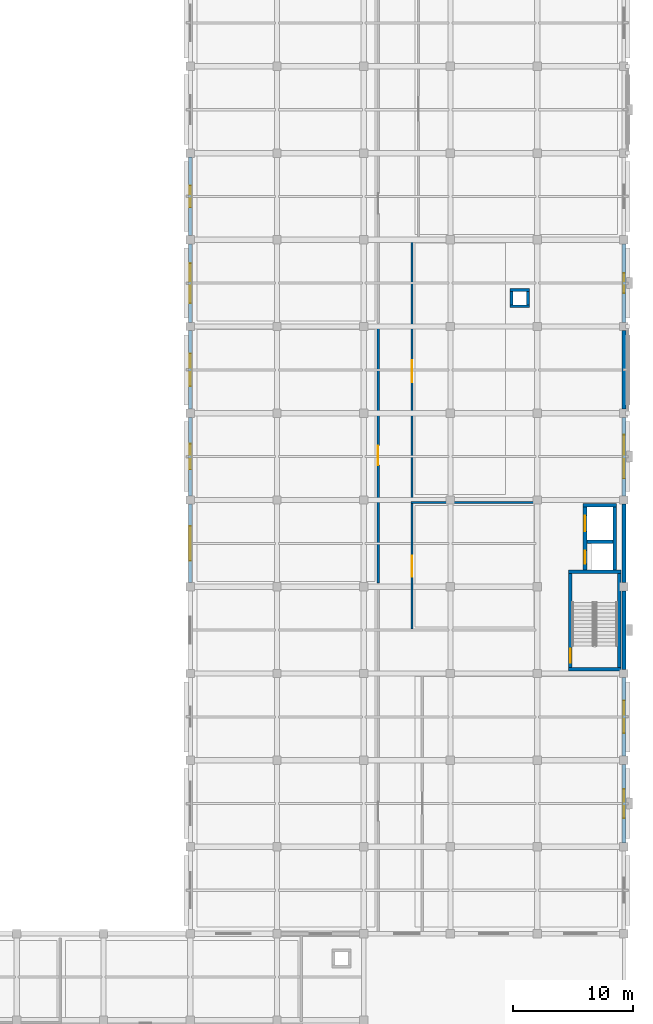
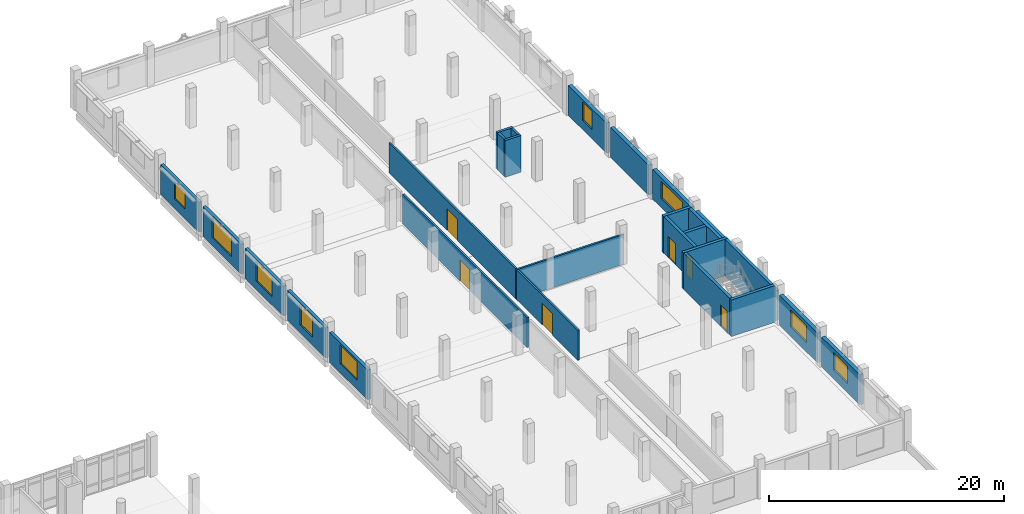
# One storey, part 40 of 57: 28 walls, 9 windows, 6 doors, 15 openings.
"""IFC4 building model written with IfcOpenShell, lengths in metres."""

from ifc_helpers import new_model, si_unit, direction, frame, frame_2d, origin, place, context, subcontext, project, spatial, rectangle, extrude, material, layer, layer_set, type_object, element, fill, save


model = new_model("IFC4")

# Units and contexts
model_context = context("Model", 3, precision=1e-05, world=origin(), true_north=direction((0.0, 1.0)))
body_context = subcontext(model_context, "Body", "Model", "MODEL_VIEW")
ifc_project = project(units=[si_unit("LENGTHUNIT", "METRE"), si_unit("AREAUNIT", "SQUARE_METRE"), si_unit("VOLUMEUNIT", "CUBIC_METRE"), si_unit("PLANEANGLEUNIT", "RADIAN"), si_unit("MASSUNIT", "GRAM", prefix="KILO")], contexts=[model_context])

# Site, building, storey
site_placement = place(None, origin())
site = spatial("IfcSite", under=ifc_project, at=site_placement, CompositionType="ELEMENT")
building_placement = place(site_placement, origin())
building = spatial("IfcBuilding", under=site, at=building_placement, Name="Valkovuoma Quantum and Materials Research Institute", CompositionType="ELEMENT")
storey_placement = place(building_placement, frame((0.0, 0.0, 4.800048828125)))
storey = spatial("IfcBuildingStorey", under=building, at=storey_placement, Name="L01", CompositionType="ELEMENT", Elevation=4.800048828125)

# Walls
ifc_material_1 = material(Name="Concrete C40/50", Category="concrete")
ifc_layer_1 = layer(ifc_material_1, 0.300048828125)
ifc_layer_set_1 = layer_set([ifc_layer_1], Name="Concrete C40/50")
wall_type_1 = type_object("IfcWallType", Name="Wall-W-COR300", PredefinedType="SHEAR", material=ifc_layer_set_1)
for number, where, z_axis, x_axis, name in (
    (1, (161.0, 57.949951171875, 0.0), (0.0, 0.0, 1.0), (1.0, 0.0, 0.0), "L01 core wall 0215"),
    (2, (161.0, 66.050048828125, 0.0), (0.0, 0.0, 1.0), (1.0, 0.0, 0.0), "L01 core wall 0216"),
):
    element("IfcWall", number, at=place(storey_placement, frame(where, z_axis=z_axis, x_axis=x_axis)), inside=storey, type_object=wall_type_1, Name=name, PredefinedType="SHEAR", context=body_context, shape_type="SweptSolid", body=[
        extrude(rectangle(XDim=4.35009765625, YDim=0.300048828125, at=frame_2d((2.175048828125, 0.0))), origin(), (0.0, 0.0, 1.0), 3.81005859375),
    ])

# Wall, opening, door
wall_1_placement = place(storey_placement, frame((161.14990234375, 58.10009765625, 0.0), z_axis=(0.0, 0.0, 1.0), x_axis=(0.0, 1.0, 0.0)))
wall_1 = element("IfcWall", 3, at=wall_1_placement, inside=storey, type_object=wall_type_1, Name="L01 core wall 0217", PredefinedType="SHEAR", context=body_context, shape_type="SweptSolid", body=[
    extrude(rectangle(XDim=7.7998046875, YDim=0.300048828125, at=frame_2d((3.89990234375, 0.0))), origin(), (0.0, 0.0, 1.0), 3.81005859375),
])
opening_1_placement = place(wall_1_placement, frame((0.39990234375, 0.0, 0.0)))
opening_1 = element("IfcOpeningElement", 4, at=opening_1_placement, cuts=wall_1, Name="Opening SD-036", PredefinedType="OPENING", context=body_context, shape_type="SweptSolid", body=[
    extrude(rectangle(XDim=1.14990234375, YDim=2.199951171875, at=frame_2d((0.574951171875, 1.10009765625))), frame((0.0, 0.16015625, 0.0), z_axis=(0.0, -1.0, 0.0), x_axis=(1.0, 0.0, 0.0)), (0.0, 0.0, 1.0), 0.320068359375),
])
ifc_material_2 = material(Name="Powder-coated steel and acoustic timber door assembly", Category="steel")
door_type_1 = type_object("IfcDoorType", Name="Door-DR-ST60", OperationType="NOTDEFINED", PredefinedType="DOOR", material=ifc_material_2)
door_1_placement = place(opening_1_placement, frame((1.14990234375, 0.0, 0.0), z_axis=(0.0, 0.0, 1.0), x_axis=(-1.0, 0.0, 0.0)))
door_1 = element("IfcDoor", 5, at=door_1_placement, inside=storey, type_object=door_type_1, Name="L01 ST-3 fire door", OperationType="SINGLE_SWING_LEFT", OverallHeight=2.199951171875, OverallWidth=1.14990234375, PredefinedType="DOOR", context=body_context, shape_type="SweptSolid", body=[
    extrude(rectangle(XDim=1.14990234375, YDim=2.199951171875, at=frame_2d((0.574951171875, 1.10009765625))), frame((0.0, 0.02490234375, 0.0), z_axis=(0.0, -1.0, 0.0), x_axis=(1.0, 0.0, 0.0)), (0.0, 0.0, 1.0), 0.050048828125),
])
fill(opening_1, door_1)

# Walls
wall_2_placement = place(storey_placement, frame((165.199951171875, 58.10009765625, 0.0), z_axis=(0.0, 0.0, 1.0), x_axis=(0.0, 1.0, 0.0)))
element("IfcWall", 6, at=wall_2_placement, inside=storey, type_object=wall_type_1, Name="L01 core wall 0218", PredefinedType="SHEAR", context=body_context, shape_type="SweptSolid", body=[
    extrude(rectangle(XDim=7.7998046875, YDim=0.300048828125, at=frame_2d((3.89990234375, 0.0))), origin(), (0.0, 0.0, 1.0), 3.81005859375),
])
wall_3_placement = place(storey_placement, frame((162.219970703125, 71.580078125, 0.0), z_axis=(0.0, 0.0, 1.0), x_axis=(1.0, 0.0, 0.0)))
element("IfcWall", 7, at=wall_3_placement, inside=storey, type_object=wall_type_1, Name="L01 core wall 0219", PredefinedType="SHEAR", context=body_context, shape_type="SweptSolid", body=[
    extrude(rectangle(XDim=2.760009765625, YDim=0.300048828125, at=frame_2d((1.3798828125, 0.0))), origin(), (0.0, 0.0, 1.0), 3.81005859375),
])
wall_4_placement = place(storey_placement, frame((162.52001953125, 68.52490234375, 0.0), z_axis=(0.0, 0.0, 1.0), x_axis=(1.0, 0.0, 0.0)))
element("IfcWall", 8, at=wall_4_placement, inside=storey, type_object=wall_type_1, Name="L01 core wall 0220", PredefinedType="SHEAR", context=body_context, shape_type="SweptSolid", body=[
    extrude(rectangle(XDim=2.159912109375, YDim=0.300048828125, at=frame_2d((1.080078125, 0.0))), origin(), (0.0, 0.0, 1.0), 3.81005859375),
])

# Wall, openings, doors
wall_5_placement = place(storey_placement, frame((162.3701171875, 66.199951171875, 0.0), z_axis=(0.0, 0.0, 1.0), x_axis=(0.0, 1.0, 0.0)))
wall_5 = element("IfcWall", 9, at=wall_5_placement, inside=storey, type_object=wall_type_1, Name="L01 core wall 0221", PredefinedType="SHEAR", context=body_context, shape_type="SweptSolid", body=[
    extrude(rectangle(XDim=5.22998046875, YDim=0.300048828125, at=frame_2d((2.614990234375, 0.0))), origin(), (0.0, 0.0, 1.0), 3.81005859375),
])
opening_2_placement = place(wall_5_placement, frame((0.5, 0.0, 0.0)))
opening_2 = element("IfcOpeningElement", 10, at=opening_2_placement, cuts=wall_5, Name="Opening LD-038", PredefinedType="OPENING", context=body_context, shape_type="SweptSolid", body=[
    extrude(rectangle(XDim=1.10009765625, YDim=2.199951171875, at=frame_2d((0.550048828125, 1.10009765625))), frame((0.0, 0.16015625, 0.0), z_axis=(0.0, -1.0, 0.0), x_axis=(1.0, 0.0, 0.0)), (0.0, 0.0, 1.0), 0.320068359375),
])
opening_3_placement = place(wall_5_placement, frame((3.199951171875, 0.0, 0.0)))
opening_3 = element("IfcOpeningElement", 11, at=opening_3_placement, cuts=wall_5, Name="Opening LD-039", PredefinedType="OPENING", context=body_context, shape_type="SweptSolid", body=[
    extrude(rectangle(XDim=1.300048828125, YDim=2.199951171875, at=frame_2d((0.64990234375, 1.10009765625))), frame((0.0, 0.16015625, 0.0), z_axis=(0.0, -1.0, 0.0), x_axis=(1.0, 0.0, 0.0)), (0.0, 0.0, 1.0), 0.320068359375),
])
ifc_material_3 = material(Name="Powder-coated steel and acoustic timber door assembly", Category="steel")
door_type_2 = type_object("IfcDoorType", Name="Door-DR-LD01", OperationType="NOTDEFINED", PredefinedType="DOOR", material=ifc_material_3)
door_2_placement = place(opening_2_placement, origin())
door_2 = element("IfcDoor", 12, at=door_2_placement, inside=storey, type_object=door_type_2, Name="L01 LIFT-P3 sliding landing door", OperationType="SLIDING_TO_LEFT", OverallHeight=2.199951171875, OverallWidth=1.10009765625, PredefinedType="DOOR", context=body_context, shape_type="SweptSolid", body=[
    extrude(rectangle(XDim=1.10009765625, YDim=2.199951171875, at=frame_2d((0.550048828125, 1.10009765625))), frame((0.0, 0.02490234375, 0.0), z_axis=(0.0, -1.0, 0.0), x_axis=(1.0, 0.0, 0.0)), (0.0, 0.0, 1.0), 0.050048828125),
])
fill(opening_2, door_2)
ifc_material_4 = material(Name="Powder-coated steel and acoustic timber door assembly", Category="steel")
door_type_3 = type_object("IfcDoorType", Name="Door-DR-LD02", OperationType="NOTDEFINED", PredefinedType="DOOR", material=ifc_material_4)
door_3_placement = place(opening_3_placement, origin())
door_3 = element("IfcDoor", 13, at=door_3_placement, inside=storey, type_object=door_type_3, Name="L01 LIFT-G1 sliding landing door", OperationType="SLIDING_TO_LEFT", OverallHeight=2.199951171875, OverallWidth=1.300048828125, PredefinedType="DOOR", context=body_context, shape_type="SweptSolid", body=[
    extrude(rectangle(XDim=1.300048828125, YDim=2.199951171875, at=frame_2d((0.64990234375, 1.10009765625))), frame((0.0, 0.02490234375, 0.0), z_axis=(0.0, -1.0, 0.0), x_axis=(1.0, 0.0, 0.0)), (0.0, 0.0, 1.0), 0.050048828125),
])
fill(opening_3, door_3)

# Wall
wall_6_placement = place(storey_placement, frame((164.830078125, 66.199951171875, 0.0), z_axis=(0.0, 0.0, 1.0), x_axis=(0.0, 1.0, 0.0)))
element("IfcWall", 14, at=wall_6_placement, inside=storey, type_object=wall_type_1, Name="L01 core wall 0222", PredefinedType="SHEAR", context=body_context, shape_type="SweptSolid", body=[
    extrude(rectangle(XDim=5.22998046875, YDim=0.300048828125, at=frame_2d((2.614990234375, 0.0))), origin(), (0.0, 0.0, 1.0), 3.81005859375),
])

# Wall, opening, window
ifc_material_5 = material(Name="Precast concrete C40/50", Category="concrete")
ifc_layer_2 = layer(ifc_material_5, 0.300048828125)
ifc_layer_set_2 = layer_set([ifc_layer_2], Name="Precast concrete C40/50")
wall_type_2 = type_object("IfcWallType", Name="Wall-W-EXT300", PredefinedType="SOLIDWALL", material=ifc_layer_set_2)
wall_7_placement = place(storey_placement, frame((129.60009765625, 65.139892578125, 0.0), z_axis=(0.0, 0.0, 1.0), x_axis=(0.0, 1.0, 0.0)))
wall_7 = element("IfcWall", 15, at=wall_7_placement, inside=storey, type_object=wall_type_2, Name="L01 exterior wall 0225", PredefinedType="SOLIDWALL", context=body_context, shape_type="SweptSolid", body=[
    extrude(rectangle(XDim=6.52001953125, YDim=0.300048828125, at=frame_2d((3.260009765625, 0.0))), origin(), (0.0, 0.0, 1.0), 3.10986328125),
])
opening_4_placement = place(wall_7_placement, frame((1.8349609375, 0.0, 0.949951171875)))
opening_4 = element("IfcOpeningElement", 16, at=opening_4_placement, cuts=wall_7, Name="Opening WN-WL20", PredefinedType="OPENING", context=body_context, shape_type="SweptSolid", body=[
    extrude(rectangle(XDim=2.85009765625, YDim=1.949951171875, at=frame_2d((1.425048828125, 0.97509765625))), frame((0.0, 0.16015625, 0.0), z_axis=(0.0, -1.0, 0.0), x_axis=(1.0, 0.0, 0.0)), (0.0, 0.0, 1.0), 0.320068359375),
])
ifc_material_6 = material(Name="Triple low-E argon glazing in thermally broken aluminium frame", Category="aluminium")
window_type_1 = type_object("IfcWindowType", Name="Win-WN-WL20", PartitioningType="SINGLE_PANEL", PredefinedType="WINDOW", material=ifc_material_6)
window_1_placement = place(opening_4_placement, origin())
window_1 = element("IfcWindow", 17, at=window_1_placement, inside=storey, type_object=window_type_1, Name="L01 window 0246", OverallHeight=1.949951171875, OverallWidth=2.85009765625, PartitioningType="SINGLE_PANEL", PredefinedType="WINDOW", context=body_context, shape_type="SweptSolid", body=[
    extrude(rectangle(XDim=2.85009765625, YDim=1.949951171875, at=frame_2d((1.425048828125, 0.97509765625))), frame((0.0, 0.030029296875, 0.0), z_axis=(0.0, -1.0, 0.0), x_axis=(1.0, 0.0, 0.0)), (0.0, 0.0, 1.0), 0.06005859375),
])
fill(opening_4, window_1)

wall_8_placement = place(storey_placement, frame((129.60009765625, 72.340087890625, 0.0), z_axis=(0.0, 0.0, 1.0), x_axis=(0.0, 1.0, 0.0)))
wall_8 = element("IfcWall", 18, at=wall_8_placement, inside=storey, type_object=wall_type_2, Name="L01 exterior wall 0226", PredefinedType="SOLIDWALL", context=body_context, shape_type="SweptSolid", body=[
    extrude(rectangle(XDim=6.52001953125, YDim=0.300048828125, at=frame_2d((3.260009765625, 0.0))), origin(), (0.0, 0.0, 1.0), 3.10986328125),
])
opening_5_placement = place(wall_8_placement, frame((2.2099609375, 0.0, 0.85009765625)))
opening_5 = element("IfcOpeningElement", 19, at=opening_5_placement, cuts=wall_8, Name="Opening WN-WL02", PredefinedType="OPENING", context=body_context, shape_type="SweptSolid", body=[
    extrude(rectangle(XDim=2.10009765625, YDim=2.10009765625, at=frame_2d((1.050048828125, 1.050048828125))), frame((0.0, 0.16015625, 0.0), z_axis=(0.0, -1.0, 0.0), x_axis=(1.0, 0.0, 0.0)), (0.0, 0.0, 1.0), 0.320068359375),
])
ifc_material_7 = material(Name="Triple low-E argon glazing in thermally broken aluminium frame", Category="aluminium")
window_type_2 = type_object("IfcWindowType", Name="Win-WN-WL02", PartitioningType="SINGLE_PANEL", PredefinedType="WINDOW", material=ifc_material_7)
window_2_placement = place(opening_5_placement, origin())
window_2 = element("IfcWindow", 20, at=window_2_placement, inside=storey, type_object=window_type_2, Name="L01 window 0247", OverallHeight=2.10009765625, OverallWidth=2.10009765625, PartitioningType="SINGLE_PANEL", PredefinedType="WINDOW", context=body_context, shape_type="SweptSolid", body=[
    extrude(rectangle(XDim=2.10009765625, YDim=2.10009765625, at=frame_2d((1.050048828125, 1.050048828125))), frame((0.0, 0.030029296875, 0.0), z_axis=(0.0, -1.0, 0.0), x_axis=(1.0, 0.0, 0.0)), (0.0, 0.0, 1.0), 0.06005859375),
])
fill(opening_5, window_2)

wall_9_placement = place(storey_placement, frame((129.60009765625, 79.5400390625, 0.0), z_axis=(0.0, 0.0, 1.0), x_axis=(0.0, 1.0, 0.0)))
wall_9 = element("IfcWall", 21, at=wall_9_placement, inside=storey, type_object=wall_type_2, Name="L01 exterior wall 0227", PredefinedType="SOLIDWALL", context=body_context, shape_type="SweptSolid", body=[
    extrude(rectangle(XDim=6.52001953125, YDim=0.300048828125, at=frame_2d((3.260009765625, 0.0))), origin(), (0.0, 0.0, 1.0), 3.10986328125),
])
opening_6_placement = place(wall_9_placement, frame((1.909912109375, 0.0, 0.85009765625)))
opening_6 = element("IfcOpeningElement", 22, at=opening_6_placement, cuts=wall_9, Name="Opening WN-WL04", PredefinedType="OPENING", context=body_context, shape_type="SweptSolid", body=[
    extrude(rectangle(XDim=2.699951171875, YDim=2.10009765625, at=frame_2d((1.35009765625, 1.050048828125))), frame((0.0, 0.16015625, 0.0), z_axis=(0.0, -1.0, 0.0), x_axis=(1.0, 0.0, 0.0)), (0.0, 0.0, 1.0), 0.320068359375),
])
ifc_material_8 = material(Name="Triple low-E argon glazing in thermally broken aluminium frame", Category="aluminium")
window_type_3 = type_object("IfcWindowType", Name="Win-WN-WL04", PartitioningType="SINGLE_PANEL", PredefinedType="WINDOW", material=ifc_material_8)
window_3_placement = place(opening_6_placement, origin())
window_3 = element("IfcWindow", 23, at=window_3_placement, inside=storey, type_object=window_type_3, Name="L01 window 0248", OverallHeight=2.10009765625, OverallWidth=2.699951171875, PartitioningType="SINGLE_PANEL", PredefinedType="WINDOW", context=body_context, shape_type="SweptSolid", body=[
    extrude(rectangle(XDim=2.699951171875, YDim=2.10009765625, at=frame_2d((1.35009765625, 1.050048828125))), frame((0.0, 0.030029296875, 0.0), z_axis=(0.0, -1.0, 0.0), x_axis=(1.0, 0.0, 0.0)), (0.0, 0.0, 1.0), 0.06005859375),
])
fill(opening_6, window_3)

wall_10_placement = place(storey_placement, frame((129.60009765625, 86.739990234375, 0.0), z_axis=(0.0, 0.0, 1.0), x_axis=(0.0, 1.0, 0.0)))
wall_10 = element("IfcWall", 24, at=wall_10_placement, inside=storey, type_object=wall_type_2, Name="L01 exterior wall 0228", PredefinedType="SOLIDWALL", context=body_context, shape_type="SweptSolid", body=[
    extrude(rectangle(XDim=6.52001953125, YDim=0.300048828125, at=frame_2d((3.260009765625, 0.0))), origin(), (0.0, 0.0, 1.0), 3.10986328125),
])
opening_7_placement = place(wall_10_placement, frame((1.610107421875, 0.0, 0.85009765625)))
opening_7 = element("IfcOpeningElement", 25, at=opening_7_placement, cuts=wall_10, Name="Opening WN-WL06", PredefinedType="OPENING", context=body_context, shape_type="SweptSolid", body=[
    extrude(rectangle(XDim=3.300048828125, YDim=2.10009765625, at=frame_2d((1.64990234375, 1.050048828125))), frame((0.0, 0.16015625, 0.0), z_axis=(0.0, -1.0, 0.0), x_axis=(1.0, 0.0, 0.0)), (0.0, 0.0, 1.0), 0.320068359375),
])
ifc_material_9 = material(Name="Triple low-E argon glazing in thermally broken aluminium frame", Category="aluminium")
window_type_4 = type_object("IfcWindowType", Name="Win-WN-WL06", PartitioningType="SINGLE_PANEL", PredefinedType="WINDOW", material=ifc_material_9)
window_4_placement = place(opening_7_placement, origin())
window_4 = element("IfcWindow", 26, at=window_4_placement, inside=storey, type_object=window_type_4, Name="L01 window 0249", OverallHeight=2.10009765625, OverallWidth=3.300048828125, PartitioningType="SINGLE_PANEL", PredefinedType="WINDOW", context=body_context, shape_type="SweptSolid", body=[
    extrude(rectangle(XDim=3.300048828125, YDim=2.10009765625, at=frame_2d((1.64990234375, 1.050048828125))), frame((0.0, 0.030029296875, 0.0), z_axis=(0.0, -1.0, 0.0), x_axis=(1.0, 0.0, 0.0)), (0.0, 0.0, 1.0), 0.06005859375),
])
fill(opening_7, window_4)

wall_11_placement = place(storey_placement, frame((129.60009765625, 93.93994140625, 0.0), z_axis=(0.0, 0.0, 1.0), x_axis=(0.0, 1.0, 0.0)))
wall_11 = element("IfcWall", 27, at=wall_11_placement, inside=storey, type_object=wall_type_2, Name="L01 exterior wall 0229", PredefinedType="SOLIDWALL", context=body_context, shape_type="SweptSolid", body=[
    extrude(rectangle(XDim=6.52001953125, YDim=0.300048828125, at=frame_2d((3.260009765625, 0.0))), origin(), (0.0, 0.0, 1.0), 3.10986328125),
])
opening_8_placement = place(wall_11_placement, frame((2.360107421875, 0.0, 0.949951171875)))
opening_8 = element("IfcOpeningElement", 28, at=opening_8_placement, cuts=wall_11, Name="Opening WN-WL08", PredefinedType="OPENING", context=body_context, shape_type="SweptSolid", body=[
    extrude(rectangle(XDim=1.800048828125, YDim=1.800048828125, at=frame_2d((0.89990234375, 0.89990234375))), frame((0.0, 0.16015625, 0.0), z_axis=(0.0, -1.0, 0.0), x_axis=(1.0, 0.0, 0.0)), (0.0, 0.0, 1.0), 0.320068359375),
])
ifc_material_10 = material(Name="Triple low-E argon glazing in thermally broken aluminium frame", Category="aluminium")
window_type_5 = type_object("IfcWindowType", Name="Win-WN-WL08", PartitioningType="SINGLE_PANEL", PredefinedType="WINDOW", material=ifc_material_10)
window_5_placement = place(opening_8_placement, origin())
window_5 = element("IfcWindow", 29, at=window_5_placement, inside=storey, type_object=window_type_5, Name="L01 window 0250", OverallHeight=1.800048828125, OverallWidth=1.800048828125, PartitioningType="SINGLE_PANEL", PredefinedType="WINDOW", context=body_context, shape_type="SweptSolid", body=[
    extrude(rectangle(XDim=1.800048828125, YDim=1.800048828125, at=frame_2d((0.89990234375, 0.89990234375))), frame((0.0, 0.030029296875, 0.0), z_axis=(0.0, -1.0, 0.0), x_axis=(1.0, 0.0, 0.0)), (0.0, 0.0, 1.0), 0.06005859375),
])
fill(opening_8, window_5)

ifc_material_11 = material(Name="Precast concrete C40/50", Category="concrete")
ifc_layer_3 = layer(ifc_material_11, 0.360107421875)
ifc_layer_set_3 = layer_set([ifc_layer_3], Name="Precast concrete C40/50")
wall_type_3 = type_object("IfcWallType", Name="Wall-W-EXT360", PredefinedType="SOLIDWALL", material=ifc_layer_set_3)
wall_12_placement = place(storey_placement, frame((165.60009765625, 43.5400390625, 0.0), z_axis=(0.0, 0.0, 1.0), x_axis=(0.0, 1.0, 0.0)))
wall_12 = element("IfcWall", 30, at=wall_12_placement, inside=storey, type_object=wall_type_3, Name="L01 exterior wall 0206", PredefinedType="SOLIDWALL", context=body_context, shape_type="SweptSolid", body=[
    extrude(rectangle(XDim=6.52001953125, YDim=0.360107421875, at=frame_2d((3.260009765625, 0.0))), origin(), (0.0, 0.0, 1.0), 3.10986328125),
])
opening_9_placement = place(wall_12_placement, frame((2.06005859375, 0.0, 0.949951171875)))
opening_9 = element("IfcOpeningElement", 31, at=opening_9_placement, cuts=wall_12, Name="Opening WN-WL10", PredefinedType="OPENING", context=body_context, shape_type="SweptSolid", body=[
    extrude(rectangle(XDim=2.39990234375, YDim=1.800048828125, at=frame_2d((1.199951171875, 0.89990234375))), frame((0.0, 0.18994140625, 0.0), z_axis=(0.0, -1.0, 0.0), x_axis=(1.0, 0.0, 0.0)), (0.0, 0.0, 1.0), 0.380126953125),
])
ifc_material_12 = material(Name="Triple low-E argon glazing in thermally broken aluminium frame", Category="aluminium")
window_type_6 = type_object("IfcWindowType", Name="Win-WN-WL10", PartitioningType="SINGLE_PANEL", PredefinedType="WINDOW", material=ifc_material_12)
window_6_placement = place(opening_9_placement, origin())
window_6 = element("IfcWindow", 32, at=window_6_placement, inside=storey, type_object=window_type_6, Name="L01 window 0232", OverallHeight=1.800048828125, OverallWidth=2.39990234375, PartitioningType="SINGLE_PANEL", PredefinedType="WINDOW", context=body_context, shape_type="SweptSolid", body=[
    extrude(rectangle(XDim=2.39990234375, YDim=1.800048828125, at=frame_2d((1.199951171875, 0.89990234375))), frame((0.0, 0.030029296875, 0.0), z_axis=(0.0, -1.0, 0.0), x_axis=(1.0, 0.0, 0.0)), (0.0, 0.0, 1.0), 0.06005859375),
])
fill(opening_9, window_6)

wall_13_placement = place(storey_placement, frame((165.60009765625, 50.739990234375, 0.0), z_axis=(0.0, 0.0, 1.0), x_axis=(0.0, 1.0, 0.0)))
wall_13 = element("IfcWall", 33, at=wall_13_placement, inside=storey, type_object=wall_type_3, Name="L01 exterior wall 0207", PredefinedType="SOLIDWALL", context=body_context, shape_type="SweptSolid", body=[
    extrude(rectangle(XDim=6.52001953125, YDim=0.360107421875, at=frame_2d((3.260009765625, 0.0))), origin(), (0.0, 0.0, 1.0), 3.10986328125),
])
opening_10_placement = place(wall_13_placement, frame((1.909912109375, 0.0, 0.949951171875)))
opening_10 = element("IfcOpeningElement", 34, at=opening_10_placement, cuts=wall_13, Name="Opening WN-WL11", PredefinedType="OPENING", context=body_context, shape_type="SweptSolid", body=[
    extrude(rectangle(XDim=2.699951171875, YDim=1.800048828125, at=frame_2d((1.35009765625, 0.89990234375))), frame((0.0, 0.18994140625, 0.0), z_axis=(0.0, -1.0, 0.0), x_axis=(1.0, 0.0, 0.0)), (0.0, 0.0, 1.0), 0.380126953125),
])
ifc_material_13 = material(Name="Triple low-E argon glazing in thermally broken aluminium frame", Category="aluminium")
window_type_7 = type_object("IfcWindowType", Name="Win-WN-WL11", PartitioningType="SINGLE_PANEL", PredefinedType="WINDOW", material=ifc_material_13)
window_7_placement = place(opening_10_placement, origin())
window_7 = element("IfcWindow", 35, at=window_7_placement, inside=storey, type_object=window_type_7, Name="L01 window 0233", OverallHeight=1.800048828125, OverallWidth=2.699951171875, PartitioningType="SINGLE_PANEL", PredefinedType="WINDOW", context=body_context, shape_type="SweptSolid", body=[
    extrude(rectangle(XDim=2.699951171875, YDim=1.800048828125, at=frame_2d((1.35009765625, 0.89990234375))), frame((0.0, 0.030029296875, 0.0), z_axis=(0.0, -1.0, 0.0), x_axis=(1.0, 0.0, 0.0)), (0.0, 0.0, 1.0), 0.06005859375),
])
fill(opening_10, window_7)

# Walls
for number, where, z_axis, x_axis, name in (
    (36, (165.60009765625, 57.93994140625, 0.0), (0.0, 0.0, 1.0), (0.0, 1.0, 0.0), "L01 exterior wall 0208"),
    (37, (165.60009765625, 65.139892578125, 0.0), (0.0, 0.0, 1.0), (0.0, 1.0, 0.0), "L01 exterior wall 0209"),
):
    element("IfcWall", number, at=place(storey_placement, frame(where, z_axis=z_axis, x_axis=x_axis)), inside=storey, type_object=wall_type_3, Name=name, PredefinedType="SOLIDWALL", context=body_context, shape_type="SweptSolid", body=[
        extrude(rectangle(XDim=6.52001953125, YDim=0.360107421875, at=frame_2d((3.260009765625, 0.0))), origin(), (0.0, 0.0, 1.0), 3.10986328125),
    ])

# Wall, opening, window
wall_14_placement = place(storey_placement, frame((165.60009765625, 72.340087890625, 0.0), z_axis=(0.0, 0.0, 1.0), x_axis=(0.0, 1.0, 0.0)))
wall_14 = element("IfcWall", 38, at=wall_14_placement, inside=storey, type_object=wall_type_3, Name="L01 exterior wall 0210", PredefinedType="SOLIDWALL", context=body_context, shape_type="SweptSolid", body=[
    extrude(rectangle(XDim=6.52001953125, YDim=0.360107421875, at=frame_2d((3.260009765625, 0.0))), origin(), (0.0, 0.0, 1.0), 3.10986328125),
])
opening_11_placement = place(wall_14_placement, frame((1.4599609375, 0.0, 0.949951171875)))
opening_11 = element("IfcOpeningElement", 39, at=opening_11_placement, cuts=wall_14, Name="Opening WN-WL14", PredefinedType="OPENING", context=body_context, shape_type="SweptSolid", body=[
    extrude(rectangle(XDim=3.60009765625, YDim=1.800048828125, at=frame_2d((1.800048828125, 0.89990234375))), frame((0.0, 0.18994140625, 0.0), z_axis=(0.0, -1.0, 0.0), x_axis=(1.0, 0.0, 0.0)), (0.0, 0.0, 1.0), 0.380126953125),
])
ifc_material_14 = material(Name="Triple low-E argon glazing in thermally broken aluminium frame", Category="aluminium")
window_type_8 = type_object("IfcWindowType", Name="Win-WN-WL14", PartitioningType="SINGLE_PANEL", PredefinedType="WINDOW", material=ifc_material_14)
window_8_placement = place(opening_11_placement, origin())
window_8 = element("IfcWindow", 40, at=window_8_placement, inside=storey, type_object=window_type_8, Name="L01 window 0234", OverallHeight=1.800048828125, OverallWidth=3.60009765625, PartitioningType="SINGLE_PANEL", PredefinedType="WINDOW", context=body_context, shape_type="SweptSolid", body=[
    extrude(rectangle(XDim=3.60009765625, YDim=1.800048828125, at=frame_2d((1.800048828125, 0.89990234375))), frame((0.0, 0.030029296875, 0.0), z_axis=(0.0, -1.0, 0.0), x_axis=(1.0, 0.0, 0.0)), (0.0, 0.0, 1.0), 0.06005859375),
])
fill(opening_11, window_8)

# Wall
wall_15_placement = place(storey_placement, frame((165.60009765625, 79.5400390625, 0.0), z_axis=(0.0, 0.0, 1.0), x_axis=(0.0, 1.0, 0.0)))
element("IfcWall", 41, at=wall_15_placement, inside=storey, type_object=wall_type_3, Name="L01 exterior wall 0211", PredefinedType="SOLIDWALL", context=body_context, shape_type="SweptSolid", body=[
    extrude(rectangle(XDim=6.52001953125, YDim=0.360107421875, at=frame_2d((3.260009765625, 0.0))), origin(), (0.0, 0.0, 1.0), 3.10986328125),
])

# Wall, opening, window
wall_16_placement = place(storey_placement, frame((165.60009765625, 86.739990234375, 0.0), z_axis=(0.0, 0.0, 1.0), x_axis=(0.0, 1.0, 0.0)))
wall_16 = element("IfcWall", 42, at=wall_16_placement, inside=storey, type_object=wall_type_3, Name="L01 exterior wall 0212", PredefinedType="SOLIDWALL", context=body_context, shape_type="SweptSolid", body=[
    extrude(rectangle(XDim=6.52001953125, YDim=0.360107421875, at=frame_2d((3.260009765625, 0.0))), origin(), (0.0, 0.0, 1.0), 3.10986328125),
])
opening_12_placement = place(wall_16_placement, frame((2.43505859375, 0.0, 0.949951171875)))
opening_12 = element("IfcOpeningElement", 43, at=opening_12_placement, cuts=wall_16, Name="Opening WN-WL16", PredefinedType="OPENING", context=body_context, shape_type="SweptSolid", body=[
    extrude(rectangle(XDim=1.64990234375, YDim=1.949951171875, at=frame_2d((0.824951171875, 0.97509765625))), frame((0.0, 0.18994140625, 0.0), z_axis=(0.0, -1.0, 0.0), x_axis=(1.0, 0.0, 0.0)), (0.0, 0.0, 1.0), 0.380126953125),
])
ifc_material_15 = material(Name="Triple low-E argon glazing in thermally broken aluminium frame", Category="aluminium")
window_type_9 = type_object("IfcWindowType", Name="Win-WN-WL16", PartitioningType="SINGLE_PANEL", PredefinedType="WINDOW", material=ifc_material_15)
window_9_placement = place(opening_12_placement, origin())
window_9 = element("IfcWindow", 44, at=window_9_placement, inside=storey, type_object=window_type_9, Name="L01 window 0235", OverallHeight=1.949951171875, OverallWidth=1.64990234375, PartitioningType="SINGLE_PANEL", PredefinedType="WINDOW", context=body_context, shape_type="SweptSolid", body=[
    extrude(rectangle(XDim=1.64990234375, YDim=1.949951171875, at=frame_2d((0.824951171875, 0.97509765625))), frame((0.0, 0.030029296875, 0.0), z_axis=(0.0, -1.0, 0.0), x_axis=(1.0, 0.0, 0.0)), (0.0, 0.0, 1.0), 0.06005859375),
])
fill(opening_12, window_9)

# Wall, opening, door
ifc_material_16 = material(Name="Laboratory fire-rated gypsum partition", Category="masonry")
ifc_layer_4 = layer(ifc_material_16, 0.179931640625)
ifc_layer_set_4 = layer_set([ifc_layer_4], Name="Laboratory fire-rated gypsum partition")
wall_type_4 = type_object("IfcWallType", Name="Wall-W-PRT180", PredefinedType="PARTITIONING", material=ifc_layer_set_4)
wall_17_placement = place(storey_placement, frame((145.199951171875, 65.090087890625, 0.0), z_axis=(0.0, 0.0, 1.0), x_axis=(0.0, 1.0, 0.0)))
wall_17 = element("IfcWall", 45, at=wall_17_placement, inside=storey, type_object=wall_type_4, Name="L01 partition 0092", PredefinedType="PARTITIONING", context=body_context, shape_type="SweptSolid", body=[
    extrude(rectangle(XDim=21.219970703125, YDim=0.179931640625, at=frame_2d((10.60986328125, 0.0))), origin(), (0.0, 0.0, 1.0), 3.10986328125),
])
opening_13_placement = place(wall_17_placement, frame((9.794921875, 0.0, 0.0)))
opening_13 = element("IfcOpeningElement", 46, at=opening_13_placement, cuts=wall_17, Name="Opening ID-0067", PredefinedType="OPENING", context=body_context, shape_type="SweptSolid", body=[
    extrude(rectangle(XDim=1.6298828125, YDim=2.219970703125, at=frame_2d((0.81494140625, 1.10986328125))), frame((0.0, 0.10009765625, 0.0), z_axis=(0.0, -1.0, 0.0), x_axis=(1.0, 0.0, 0.0)), (0.0, 0.0, 1.0), 0.199951171875),
])
ifc_material_17 = material(Name="Powder-coated steel and acoustic timber door assembly", Category="steel")
door_type_4 = type_object("IfcDoorType", Name="Door-DR-RM15", OperationType="NOTDEFINED", PredefinedType="DOOR", material=ifc_material_17)
door_4_placement = place(opening_13_placement, origin())
door_4 = element("IfcDoor", 47, at=door_4_placement, inside=storey, type_object=door_type_4, Name="L01 room door 0067", OperationType="DOUBLE_DOOR_SINGLE_SWING", OverallHeight=2.219970703125, OverallWidth=1.6298828125, PredefinedType="DOOR", context=body_context, shape_type="SweptSolid", body=[
    extrude(rectangle(XDim=1.6298828125, YDim=2.219970703125, at=frame_2d((0.81494140625, 1.10986328125))), frame((0.0, 0.02490234375, 0.0), z_axis=(0.0, -1.0, 0.0), x_axis=(1.0, 0.0, 0.0)), (0.0, 0.0, 1.0), 0.050048828125),
])
fill(opening_13, door_4)

# Wall
wall_18_placement = place(storey_placement, frame((147.909912109375, 71.800048828125, 0.0), z_axis=(0.0, 0.0, 1.0), x_axis=(1.0, 0.0, 0.0)))
element("IfcWall", 48, at=wall_18_placement, inside=storey, type_object=wall_type_4, Name="L01 partition 0095", PredefinedType="PARTITIONING", context=body_context, shape_type="SweptSolid", body=[
    extrude(rectangle(XDim=10.580078125, YDim=0.179931640625, at=frame_2d((5.2900390625, 0.0))), origin(), (0.0, 0.0, 1.0), 3.10986328125),
])

# Wall, opening, door
wall_19_placement = place(storey_placement, frame((148.0, 61.2900390625, 0.0), z_axis=(0.0, 0.0, 1.0), x_axis=(0.0, 1.0, 0.0)))
wall_19 = element("IfcWall", 49, at=wall_19_placement, inside=storey, type_object=wall_type_4, Name="L01 partition 0096", PredefinedType="PARTITIONING", context=body_context, shape_type="SweptSolid", body=[
    extrude(rectangle(XDim=10.419921875, YDim=0.179931640625, at=frame_2d((5.2099609375, 0.0))), origin(), (0.0, 0.0, 1.0), 3.10986328125),
])
opening_14_placement = place(wall_19_placement, frame((4.320068359375, 0.0, 0.0)))
opening_14 = element("IfcOpeningElement", 50, at=opening_14_placement, cuts=wall_19, Name="Opening ID-0070", PredefinedType="OPENING", context=body_context, shape_type="SweptSolid", body=[
    extrude(rectangle(XDim=1.780029296875, YDim=2.260009765625, at=frame_2d((0.89013671875, 1.1298828125))), frame((0.0, 0.10009765625, 0.0), z_axis=(0.0, -1.0, 0.0), x_axis=(1.0, 0.0, 0.0)), (0.0, 0.0, 1.0), 0.199951171875),
])
ifc_material_18 = material(Name="Powder-coated steel and acoustic timber door assembly", Category="steel")
door_type_5 = type_object("IfcDoorType", Name="Door-DR-RM18", OperationType="NOTDEFINED", PredefinedType="DOOR", material=ifc_material_18)
door_5_placement = place(opening_14_placement, origin())
door_5 = element("IfcDoor", 51, at=door_5_placement, inside=storey, type_object=door_type_5, Name="L01 room door 0070", OperationType="DOUBLE_DOOR_SINGLE_SWING", OverallHeight=2.260009765625, OverallWidth=1.780029296875, PredefinedType="DOOR", context=body_context, shape_type="SweptSolid", body=[
    extrude(rectangle(XDim=1.780029296875, YDim=2.260009765625, at=frame_2d((0.89013671875, 1.1298828125))), frame((0.0, 0.02490234375, 0.0), z_axis=(0.0, -1.0, 0.0), x_axis=(1.0, 0.0, 0.0)), (0.0, 0.0, 1.0), 0.050048828125),
])
fill(opening_14, door_5)

wall_20_placement = place(storey_placement, frame((148.0, 71.889892578125, 0.0), z_axis=(0.0, 0.0, 1.0), x_axis=(0.0, 1.0, 0.0)))
wall_20 = element("IfcWall", 52, at=wall_20_placement, inside=storey, type_object=wall_type_4, Name="L01 partition 0097", PredefinedType="PARTITIONING", context=body_context, shape_type="SweptSolid", body=[
    extrude(rectangle(XDim=21.6201171875, YDim=0.179931640625, at=frame_2d((10.81005859375, 0.0))), origin(), (0.0, 0.0, 1.0), 3.10986328125),
])
opening_15_placement = place(wall_20_placement, frame((9.889892578125, 0.0, 0.0)))
opening_15 = element("IfcOpeningElement", 53, at=opening_15_placement, cuts=wall_20, Name="Opening ID-0071", PredefinedType="OPENING", context=body_context, shape_type="SweptSolid", body=[
    extrude(rectangle(XDim=1.840087890625, YDim=2.260009765625, at=frame_2d((0.919921875, 1.1298828125))), frame((0.0, 0.10009765625, 0.0), z_axis=(0.0, -1.0, 0.0), x_axis=(1.0, 0.0, 0.0)), (0.0, 0.0, 1.0), 0.199951171875),
])
ifc_material_19 = material(Name="Powder-coated steel and acoustic timber door assembly", Category="steel")
door_type_6 = type_object("IfcDoorType", Name="Door-DR-RM19", OperationType="NOTDEFINED", PredefinedType="DOOR", material=ifc_material_19)
door_6_placement = place(opening_15_placement, origin())
door_6 = element("IfcDoor", 54, at=door_6_placement, inside=storey, type_object=door_type_6, Name="L01 room door 0071", OperationType="DOUBLE_DOOR_SINGLE_SWING", OverallHeight=2.260009765625, OverallWidth=1.840087890625, PredefinedType="DOOR", context=body_context, shape_type="SweptSolid", body=[
    extrude(rectangle(XDim=1.840087890625, YDim=2.260009765625, at=frame_2d((0.919921875, 1.1298828125))), frame((0.0, 0.02490234375, 0.0), z_axis=(0.0, -1.0, 0.0), x_axis=(1.0, 0.0, 0.0)), (0.0, 0.0, 1.0), 0.050048828125),
])
fill(opening_15, door_6)

# Walls
ifc_material_20 = material(Name="Concrete C40/50", Category="concrete")
ifc_layer_5 = layer(ifc_material_20, 0.239990234375)
ifc_layer_set_5 = layer_set([ifc_layer_5], Name="Concrete C40/50")
wall_type_5 = type_object("IfcWallType", Name="Wall-W-SHF240", PredefinedType="SOLIDWALL", material=ifc_layer_set_5)
for number, where, z_axis, x_axis, name in (
    (55, (156.159912109375, 88.080078125, 0.0), (0.0, 0.0, 1.0), (1.0, 0.0, 0.0), "L01 core wall 0325"),
    (56, (156.159912109375, 89.419921875, 0.0), (0.0, 0.0, 1.0), (1.0, 0.0, 0.0), "L01 core wall 0326"),
):
    element("IfcWall", number, at=place(storey_placement, frame(where, z_axis=z_axis, x_axis=x_axis)), inside=storey, type_object=wall_type_5, Name=name, PredefinedType="SOLIDWALL", context=body_context, shape_type="SweptSolid", body=[
        extrude(rectangle(XDim=1.580078125, YDim=0.239990234375, at=frame_2d((0.7900390625, 0.0))), origin(), (0.0, 0.0, 1.0), 3.81005859375),
    ])
for number, where, z_axis, x_axis, name in (
    (57, (156.280029296875, 88.199951171875, 0.0), (0.0, 0.0, 1.0), (0.0, 1.0, 0.0), "L01 core wall 0327"),
    (58, (157.6201171875, 88.199951171875, 0.0), (0.0, 0.0, 1.0), (0.0, 1.0, 0.0), "L01 core wall 0328"),
):
    element("IfcWall", number, at=place(storey_placement, frame(where, z_axis=z_axis, x_axis=x_axis)), inside=storey, type_object=wall_type_5, Name=name, PredefinedType="SOLIDWALL", context=body_context, shape_type="SweptSolid", body=[
        extrude(rectangle(XDim=1.10009765625, YDim=0.239990234375, at=frame_2d((0.550048828125, 0.0))), origin(), (0.0, 0.0, 1.0), 3.81005859375),
    ])

save(model, "model.ifc")
